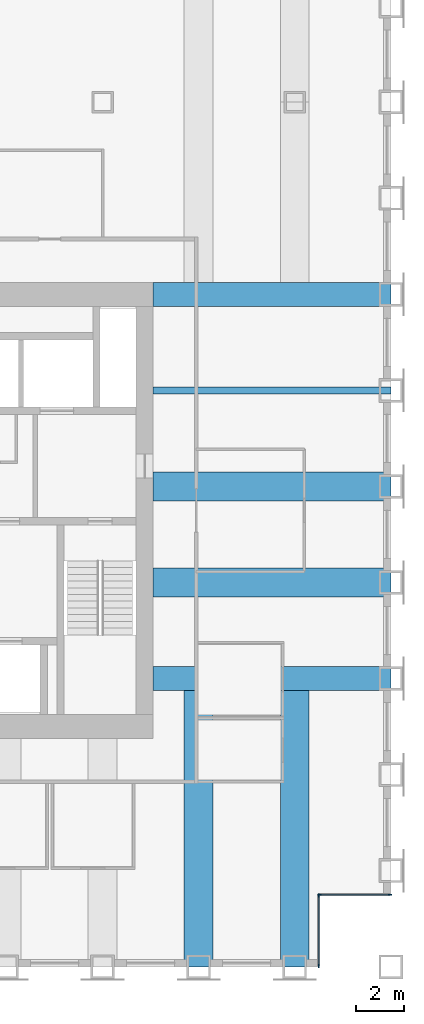
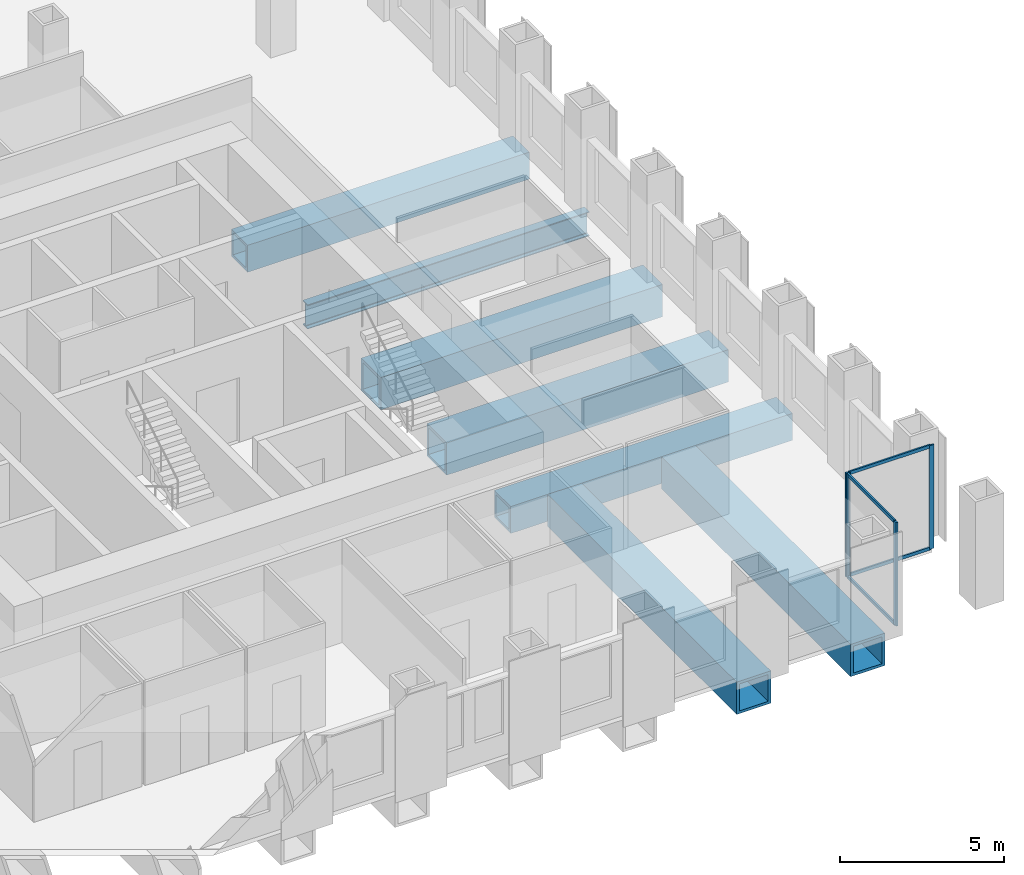
# One storey, part 4 of 13: 8 members, 7 beams, 2 elements without a shape of their own.
"""IFC4 building model written with IfcOpenShell, lengths in metres."""

import ifcopenshell
import ifcopenshell.guid

model = None  # the IFC model being written
_history = None  # IfcOwnerHistory: only IFC2X3 demands one
_inside = {}  # id of a spatial element -> (the spatial element, [elements in it])
_under = {}  # id of a project, library or spatial element -> (it, [spatial elements below it])
_declared = {}  # id of a project -> (the project, [libraries it declares])
_typed = {}  # id of a type object -> (the type object, [elements of that type])
_made_of = {}  # id of a material, layer set ... -> (it, [elements and type objects made of it])


def new_model(schema):
    """Start an empty IFC model of exactly this schema.

    Asked for "IFC4X3", IfcOpenShell would pick the latest addendum, in which some entities
    have other attributes; the version numbers below select the first issue.
    IFC2X3 requires an IfcOwnerHistory on every rooted entity: one is made here for all.
    """
    global model, _history
    if schema == "IFC4X3":
        model = ifcopenshell.file(schema_version=(4, 3, 0, 0))
    else:
        model = ifcopenshell.file(schema=schema)
    _inside.clear()
    _under.clear()
    _declared.clear()
    _typed.clear()
    _made_of.clear()
    _history = None
    if model.schema == "IFC2X3":
        org = make("IfcOrganization", Name="unknown")
        user = make(
            "IfcPersonAndOrganization",
            ThePerson=make("IfcPerson", FamilyName="unknown"),
            TheOrganization=org,
        )
        app = make(
            "IfcApplication",
            ApplicationDeveloper=org,
            Version="unknown",
            ApplicationFullName="unknown",
            ApplicationIdentifier="unknown",
        )
        _history = make(
            "IfcOwnerHistory",
            OwningUser=user,
            OwningApplication=app,
            ChangeAction="ADDED",
            CreationDate=0,
        )
    return model


def make(cls, **values):
    """One entity of the class cls with the attributes given. An attribute that is None is left unset."""
    return model.create_entity(
        cls, **{name: value for name, value in values.items() if value is not None}
    )


def rooted(cls, **values):
    """An entity with a GlobalId (a new one), such as an element, a storey or a relation."""
    return make(cls, GlobalId=ifcopenshell.guid.new(), OwnerHistory=_history, **values)


def si_unit(unit_type, name, prefix=None):
    """IfcSIUnit, for example si_unit("LENGTHUNIT", "METRE", prefix="MILLI")."""
    return make("IfcSIUnit", UnitType=unit_type, Prefix=prefix, Name=name)


def assignment(units):
    """IfcUnitAssignment: the units of a project."""
    return None if units is None else make("IfcUnitAssignment", Units=units)


def point(xyz):
    """IfcCartesianPoint."""
    return None if xyz is None else make("IfcCartesianPoint", Coordinates=xyz)


def direction(xyz):
    """IfcDirection."""
    return None if xyz is None else make("IfcDirection", DirectionRatios=xyz)


def frame(location, z_axis=None, x_axis=None):
    """IfcAxis2Placement3D, a coordinate frame: its origin and axes. An axis left out is left unset."""
    return make(
        "IfcAxis2Placement3D",
        Location=point(location),
        Axis=direction(z_axis),
        RefDirection=direction(x_axis),
    )


def frame_2d(location, x_axis=None):
    """IfcAxis2Placement2D, a coordinate frame in the plane: its origin and x axis."""
    return make(
        "IfcAxis2Placement2D", Location=point(location), RefDirection=direction(x_axis)
    )


def origin():
    """The frame at (0, 0, 0) with its axes left unset."""
    return frame((0.0, 0.0, 0.0))


def origin_2d():
    """The frame at (0, 0) in the plane with its x axis left unset."""
    return frame_2d((0.0, 0.0))


def place(relative_to, where):
    """IfcLocalPlacement: puts the frame where relative to a parent placement (None: the world)."""
    return make(
        "IfcLocalPlacement", PlacementRelTo=relative_to, RelativePlacement=where
    )


def context(
    kind, dimensions, precision=None, world=None, true_north=None, identifier=None
):
    """IfcGeometricRepresentationContext, for example the 3D "Model" context."""
    return make(
        "IfcGeometricRepresentationContext",
        ContextIdentifier=identifier,
        ContextType=kind,
        CoordinateSpaceDimension=dimensions,
        Precision=precision,
        WorldCoordinateSystem=world,
        TrueNorth=true_north,
    )


def subcontext(parent, identifier, kind, view, scale=None):
    """IfcGeometricRepresentationSubContext, for example "Body" below "Model"."""
    return make(
        "IfcGeometricRepresentationSubContext",
        ContextIdentifier=identifier,
        ContextType=kind,
        ParentContext=parent,
        TargetScale=scale,
        TargetView=view,
    )


def project(units=None, contexts=None):
    """IfcProject with its units and contexts."""
    return rooted(
        "IfcProject",
        Name="project",
        RepresentationContexts=contexts,
        UnitsInContext=assignment(units),
    )


def spatial(cls, under=None, at=None, **own):
    """A site, building, storey or space (cls), placed at a placement, below another one or the project."""
    s = rooted(cls, ObjectPlacement=at, **own)
    if under is not None:
        _under.setdefault(under.id(), (under, []))[1].append(s)
    return s


def profile(cls, at=None, kind="AREA", **sizes):
    """A parametric profile (cls). Its sizes go by their IFC names, for example OverallWidth=200.0."""
    return make(cls, ProfileType=kind, Position=at, **sizes)


def rectangle(**sizes):
    """IfcRectangleProfileDef."""
    return profile("IfcRectangleProfileDef", **sizes)


def hollow_rectangle(**sizes):
    """IfcRectangleHollowProfileDef."""
    return profile("IfcRectangleHollowProfileDef", **sizes)


def i_section(**sizes):
    """IfcIShapeProfileDef."""
    return profile("IfcIShapeProfileDef", **sizes)


def extrude(swept, where, along, depth):
    """IfcExtrudedAreaSolid: the profile swept, set in the frame where, extruded along a direction by depth."""
    return make(
        "IfcExtrudedAreaSolid",
        SweptArea=swept,
        Position=where,
        ExtrudedDirection=direction(along),
        Depth=depth,
    )


def shape(context_of_items, identifier, shape_type, items):
    """IfcShapeRepresentation: the items that make up one representation, for example the "Body"."""
    return make(
        "IfcShapeRepresentation",
        ContextOfItems=context_of_items,
        RepresentationIdentifier=identifier,
        RepresentationType=shape_type,
        Items=items,
    )


def material(Name=None, Category=None):
    """IfcMaterial."""
    return make("IfcMaterial", Name=Name, Category=Category)


def material_profile(
    of_material, cross_section, Name=None, Category=None, Priority=None
):
    """IfcMaterialProfile: a cross section and its material."""
    return make(
        "IfcMaterialProfile",
        Name=Name,
        Material=of_material,
        Profile=cross_section,
        Priority=Priority,
        Category=Category,
    )


def profile_set(profiles, Name=None, composite=None):
    """IfcMaterialProfileSet."""
    return make(
        "IfcMaterialProfileSet",
        Name=Name,
        MaterialProfiles=profiles,
        CompositeProfile=composite,
    )


def made_of(thing, what):
    """Note that an element or type object is made of a material, layer set ...; save() writes the relation."""
    if what is not None:
        _made_of.setdefault(what.id(), (what, []))[1].append(thing)
    return thing


def type_object(cls, material=None, **own):
    """A type object (cls), such as IfcWallType, which elements share."""
    return made_of(rooted(cls, **own), material)


def element(
    cls,
    number,
    at=None,
    inside=None,
    cuts=None,
    type_object=None,
    material=None,
    context=None,
    identifier="Body",
    shape_type=None,
    held_by="IfcProductDefinitionShape",
    body=None,
    shapes=None,
    **own,
):
    """One element of the class cls, such as IfcWall. Its Tag is "e" and its number.

    at: its placement. inside: the storey or other place that contains it. cuts: it is an
    opening in that element (IfcRelVoidsElement). A single representation is given by context,
    identifier, shape_type and body (its items); several are given by shapes. held_by: the class
    of the entity that holds the representations. save() writes the other relations.
    """
    e = rooted(cls, Tag="e%d" % number, ObjectPlacement=at, **own)
    if body is not None:
        shapes = [shape(context, identifier, shape_type, body)]
    if shapes is not None:
        e.Representation = make(held_by, Representations=shapes)
    if inside is not None:
        _inside.setdefault(inside.id(), (inside, []))[1].append(e)
    if cuts is not None:
        rooted(
            "IfcRelVoidsElement", RelatingBuildingElement=cuts, RelatedOpeningElement=e
        )
    if type_object is not None:
        _typed.setdefault(type_object.id(), (type_object, []))[1].append(e)
    return made_of(e, material)


def aggregate(whole, parts):
    """IfcRelAggregates: a whole, such as a stair, and the parts it consists of."""
    return rooted("IfcRelAggregates", RelatingObject=whole, RelatedObjects=parts)


def save(model, path):
    """Write the relations noted so far, then the file.

    IfcRelAggregates (storeys below a building ...), IfcRelContainedInSpatialStructure (elements
    in a storey), IfcRelDefinesByType, IfcRelAssociatesMaterial and IfcRelDeclares: one each for
    every whole, place, type object, material and project.
    """
    for whole, parts in _under.values():
        aggregate(whole, parts)
    for where, things in _inside.values():
        rooted(
            "IfcRelContainedInSpatialStructure",
            RelatedElements=things,
            RelatingStructure=where,
        )
    for kind, things in _typed.values():
        rooted("IfcRelDefinesByType", RelatedObjects=things, RelatingType=kind)
    for what, things in _made_of.values():
        rooted("IfcRelAssociatesMaterial", RelatedObjects=things, RelatingMaterial=what)
    for by, libraries in _declared.values():
        rooted("IfcRelDeclares", RelatingContext=by, RelatedDefinitions=libraries)
    model.write(path)


model = new_model("IFC4")

# Units and contexts
model_context = context("Model", 3, precision=1e-05, world=origin(), true_north=direction((0.0, 1.0)))
body_context = subcontext(model_context, "Body", "Model", "MODEL_VIEW")
ifc_project = project(units=[si_unit("LENGTHUNIT", "METRE"), si_unit("AREAUNIT", "SQUARE_METRE"), si_unit("VOLUMEUNIT", "CUBIC_METRE"), si_unit("PLANEANGLEUNIT", "RADIAN"), si_unit("MASSUNIT", "GRAM", prefix="KILO")], contexts=[model_context])

# Site, building, storey
site_placement = place(None, origin())
site = spatial("IfcSite", under=ifc_project, at=site_placement, CompositionType="ELEMENT")
building_placement = place(site_placement, origin())
building = spatial("IfcBuilding", under=site, at=building_placement, Name="Rimbunsela Tower", CompositionType="ELEMENT")
storey_placement = place(building_placement, frame((0.0, 0.0, 175.800048828125)))
storey = spatial("IfcBuildingStorey", under=building, at=storey_placement, Name="L42", CompositionType="ELEMENT", Elevation=175.800048828125)

# Beams
ifc_material_1 = material(Name="Steel BJ 55 (fy 410 MPa)", Category="steel")
ifc_material_profile_1 = material_profile(ifc_material_1, hollow_rectangle(XDim=1.0, YDim=1.0, WallThickness=0.10009765625, at=origin_2d()), Name="BOX 1000x1000x100")
ifc_profile_set_1 = profile_set([ifc_material_profile_1], Name="Steel BJ 55 (fy 410 MPa)")
beam_type_1 = type_object("IfcBeamType", Name="Beam BOX 1000x1000x100", PredefinedType="BEAM", material=ifc_profile_set_1)
for number, where, z_axis, x_axis, name in (
    (1, (36.10009765625, 20.0, -0.650146484375), (1.0, 0.0, 0.0), (0.0, 1.0, 0.0), "Beam B3 L42"),
    (2, (36.10009765625, 36.0, -0.650146484375), (1.0, 0.0, 0.0), (0.0, 1.0, 0.0), "Beam B3 L42"),
):
    element("IfcBeam", number, at=place(storey_placement, frame(where, z_axis=z_axis, x_axis=x_axis)), inside=storey, type_object=beam_type_1, Name=name, PredefinedType="BEAM", context=body_context, shape_type="SweptSolid", body=[
        extrude(hollow_rectangle(XDim=1.0, YDim=1.0, WallThickness=0.10009765625, at=origin_2d()), origin(), (0.0, 0.0, 1.0), 9.89990234375),
    ])
ifc_material_2 = material(Name="Steel BJ 55 (fy 410 MPa)", Category="steel")
ifc_material_profile_2 = material_profile(ifc_material_2, hollow_rectangle(XDim=1.199951171875, YDim=1.199951171875, WallThickness=0.10009765625, at=origin_2d()), Name="BOX 1200x1200x100")
ifc_profile_set_2 = profile_set([ifc_material_profile_2], Name="Steel BJ 55 (fy 410 MPa)")
beam_type_2 = type_object("IfcBeamType", Name="Beam BOX 1200x1200x100", PredefinedType="BEAM", material=ifc_profile_set_2)
for number, where, z_axis, x_axis, name in (
    (3, (36.10009765625, 24.0, -0.75), (1.0, 0.0, 0.0), (0.0, 1.0, 0.0), "Beam B5 L42"),
    (4, (36.10009765625, 28.0, -0.75), (1.0, 0.0, 0.0), (0.0, 1.0, 0.0), "Beam B5 L42"),
):
    element("IfcBeam", number, at=place(storey_placement, frame(where, z_axis=z_axis, x_axis=x_axis)), inside=storey, type_object=beam_type_2, Name=name, PredefinedType="BEAM", context=body_context, shape_type="SweptSolid", body=[
        extrude(hollow_rectangle(XDim=1.199951171875, YDim=1.199951171875, WallThickness=0.10009765625, at=origin_2d()), origin(), (0.0, 0.0, 1.0), 9.89990234375),
    ])
for number, where, z_axis, x_axis, name in (
    (5, (38.0, 8.0, -0.75), (0.0, 1.0, 0.0), (-1.0, 0.0, 0.0), "Beam B5 L42"),
    (6, (42.0, 8.0, -0.75), (0.0, 1.0, 0.0), (-1.0, 0.0, 0.0), "Beam B5 L42"),
):
    element("IfcBeam", number, at=place(storey_placement, frame(where, z_axis=z_axis, x_axis=x_axis)), inside=storey, type_object=beam_type_2, Name=name, PredefinedType="BEAM", context=body_context, shape_type="SweptSolid", body=[
        extrude(hollow_rectangle(XDim=1.199951171875, YDim=1.199951171875, WallThickness=0.10009765625, at=origin_2d()), origin(), (0.0, 0.0, 1.0), 11.5),
    ])
ifc_material_3 = material(Name="Steel BJ 55 (fy 410 MPa)", Category="steel")
ifc_material_profile_3 = material_profile(ifc_material_3, i_section(OverallWidth=0.300048828125, OverallDepth=0.89990234375, WebThickness=0.01611328125, FlangeThickness=0.028076171875, FilletRadius=0.028076171875, at=origin_2d()), Name="H 900x300x16x28")
ifc_profile_set_3 = profile_set([ifc_material_profile_3], Name="Steel BJ 55 (fy 410 MPa)")
beam_type_3 = type_object("IfcBeamType", Name="Beam H 900x300x16x28", PredefinedType="BEAM", material=ifc_profile_set_3)
beam_placement = place(storey_placement, frame((36.10009765625, 32.0, -0.60009765625), z_axis=(1.0, 0.0, 0.0), x_axis=(0.0, 1.0, 0.0)))
element("IfcBeam", 7, at=beam_placement, inside=storey, type_object=beam_type_3, Name="Beam B2 L42", PredefinedType="BEAM", context=body_context, shape_type="SweptSolid", body=[
    extrude(i_section(OverallWidth=0.300048828125, OverallDepth=0.89990234375, WebThickness=0.01611328125, FlangeThickness=0.028076171875, FilletRadius=0.028076171875, at=origin_2d()), origin(), (0.0, 0.0, 1.0), 9.89990234375),
])

# Curtain wall, members
ifc_material_4 = material(Name="Aluminium curtain wall", Category="aluminium")
curtain_wall_type = type_object("IfcCurtainWallType", Name="Corner glazing", PredefinedType="USERDEFINED", material=ifc_material_4)
curtain_wall_1_placement = place(storey_placement, origin())
curtain_wall_1 = element("IfcCurtainWall", 8, at=curtain_wall_1_placement, inside=storey, type_object=curtain_wall_type, Name="Corner glazing L42", ObjectType="CORNER GLAZING", PredefinedType="USERDEFINED")
ifc_material_5 = material(Name="Aluminium mullion", Category="aluminium")
ifc_material_profile_4 = material_profile(ifc_material_5, rectangle(XDim=0.06005859375, YDim=0.159912109375, at=origin_2d()), Name="Mullion 60x160")
ifc_profile_set_4 = profile_set([ifc_material_profile_4], Name="Aluminium mullion")
member_type_1 = type_object("IfcMemberType", Name="Curtain wall mullion 60x160", PredefinedType="MULLION", material=ifc_profile_set_4)
member_1_placement = place(storey_placement, frame((43.0, 8.030029296875, 0.0), z_axis=(0.0, 0.0, 1.0), x_axis=(-1.0, 0.0, 0.0)))
member_1 = element("IfcMember", 9, at=member_1_placement, type_object=member_type_1, Name="CW5 mullion 1", PredefinedType="MULLION", context=body_context, shape_type="SweptSolid", body=[
    extrude(rectangle(XDim=0.06005859375, YDim=0.159912109375, at=origin_2d()), origin(), (0.0, 0.0, 1.0), 3.849853515625),
])
member_2_placement = place(storey_placement, frame((43.0, 10.969970703125, 0.0), z_axis=(0.0, 0.0, 1.0), x_axis=(-1.0, 0.0, 0.0)))
member_2 = element("IfcMember", 10, at=member_2_placement, type_object=member_type_1, Name="CW5 mullion 2", PredefinedType="MULLION", context=body_context, shape_type="SweptSolid", body=[
    extrude(rectangle(XDim=0.06005859375, YDim=0.159912109375, at=origin_2d()), origin(), (0.0, 0.0, 1.0), 3.849853515625),
])

curtain_wall_2_placement = place(storey_placement, origin())
curtain_wall_2 = element("IfcCurtainWall", 11, at=curtain_wall_2_placement, inside=storey, type_object=curtain_wall_type, Name="Corner glazing L42", ObjectType="CORNER GLAZING", PredefinedType="USERDEFINED")
member_3_placement = place(storey_placement, frame((43.030029296875, 11.0, 0.0), z_axis=(0.0, 0.0, 1.0), x_axis=(0.0, 1.0, 0.0)))
member_3 = element("IfcMember", 12, at=member_3_placement, type_object=member_type_1, Name="CW5 mullion 1", PredefinedType="MULLION", context=body_context, shape_type="SweptSolid", body=[
    extrude(rectangle(XDim=0.06005859375, YDim=0.159912109375, at=origin_2d()), origin(), (0.0, 0.0, 1.0), 3.849853515625),
])
member_4_placement = place(storey_placement, frame((45.969970703125, 11.0, 0.0), z_axis=(0.0, 0.0, 1.0), x_axis=(0.0, 1.0, 0.0)))
member_4 = element("IfcMember", 13, at=member_4_placement, type_object=member_type_1, Name="CW5 mullion 2", PredefinedType="MULLION", context=body_context, shape_type="SweptSolid", body=[
    extrude(rectangle(XDim=0.06005859375, YDim=0.159912109375, at=origin_2d()), origin(), (0.0, 0.0, 1.0), 3.849853515625),
])

# Member
ifc_material_6 = material(Name="Aluminium transom", Category="aluminium")
ifc_material_profile_5 = material_profile(ifc_material_6, rectangle(XDim=0.06005859375, YDim=0.1201171875, at=origin_2d()), Name="Transom 60x120")
ifc_profile_set_5 = profile_set([ifc_material_profile_5], Name="Aluminium transom")
member_type_2 = type_object("IfcMemberType", Name="Curtain wall transom 60x120", PredefinedType="USERDEFINED", material=ifc_profile_set_5)
member_5_placement = place(storey_placement, frame((43.0, 8.06005859375, 0.030029296875), z_axis=(0.0, 1.0, 0.0), x_axis=(-1.0, 0.0, 0.0)))
member_5 = element("IfcMember", 14, at=member_5_placement, type_object=member_type_2, Name="CW5 transom 1.1", ObjectType="TRANSOM", PredefinedType="USERDEFINED", context=body_context, shape_type="SweptSolid", body=[
    extrude(rectangle(XDim=0.06005859375, YDim=0.1201171875, at=origin_2d()), origin(), (0.0, 0.0, 1.0), 2.8798828125),
])

member_6_placement = place(storey_placement, frame((43.0, 8.06005859375, 3.820068359375), z_axis=(0.0, 1.0, 0.0), x_axis=(-1.0, 0.0, 0.0)))
member_6 = element("IfcMember", 15, at=member_6_placement, type_object=member_type_2, Name="CW5 transom 1.2", ObjectType="TRANSOM", PredefinedType="USERDEFINED", context=body_context, shape_type="SweptSolid", body=[
    extrude(rectangle(XDim=0.06005859375, YDim=0.1201171875, at=origin_2d()), origin(), (0.0, 0.0, 1.0), 2.8798828125),
])

aggregate(curtain_wall_1, [member_1, member_2, member_5, member_6])

member_7_placement = place(storey_placement, frame((43.06005859375, 11.0, 0.030029296875), z_axis=(1.0, 0.0, 0.0), x_axis=(0.0, 1.0, 0.0)))
member_7 = element("IfcMember", 16, at=member_7_placement, type_object=member_type_2, Name="CW5 transom 1.1", ObjectType="TRANSOM", PredefinedType="USERDEFINED", context=body_context, shape_type="SweptSolid", body=[
    extrude(rectangle(XDim=0.06005859375, YDim=0.1201171875, at=origin_2d()), origin(), (0.0, 0.0, 1.0), 2.8798828125),
])

member_8_placement = place(storey_placement, frame((43.06005859375, 11.0, 3.820068359375), z_axis=(1.0, 0.0, 0.0), x_axis=(0.0, 1.0, 0.0)))
member_8 = element("IfcMember", 17, at=member_8_placement, type_object=member_type_2, Name="CW5 transom 1.2", ObjectType="TRANSOM", PredefinedType="USERDEFINED", context=body_context, shape_type="SweptSolid", body=[
    extrude(rectangle(XDim=0.06005859375, YDim=0.1201171875, at=origin_2d()), origin(), (0.0, 0.0, 1.0), 2.8798828125),
])

aggregate(curtain_wall_2, [member_3, member_4, member_7, member_8])

save(model, "model.ifc")
